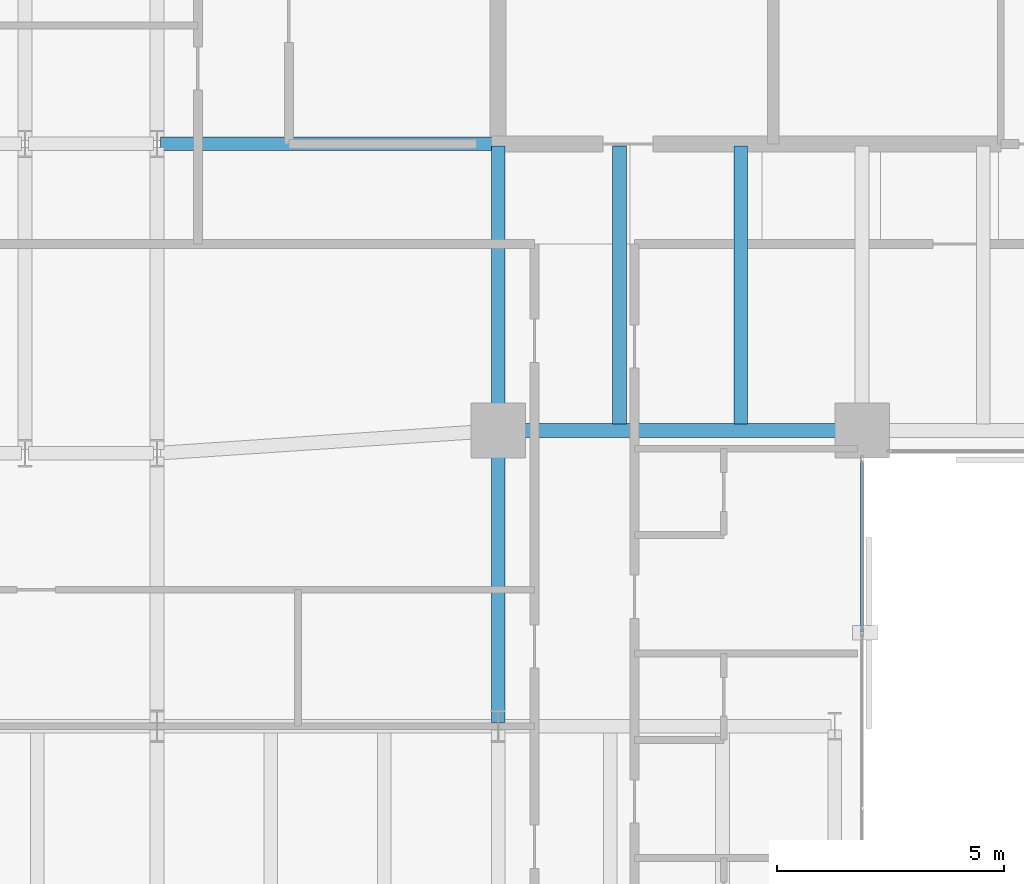
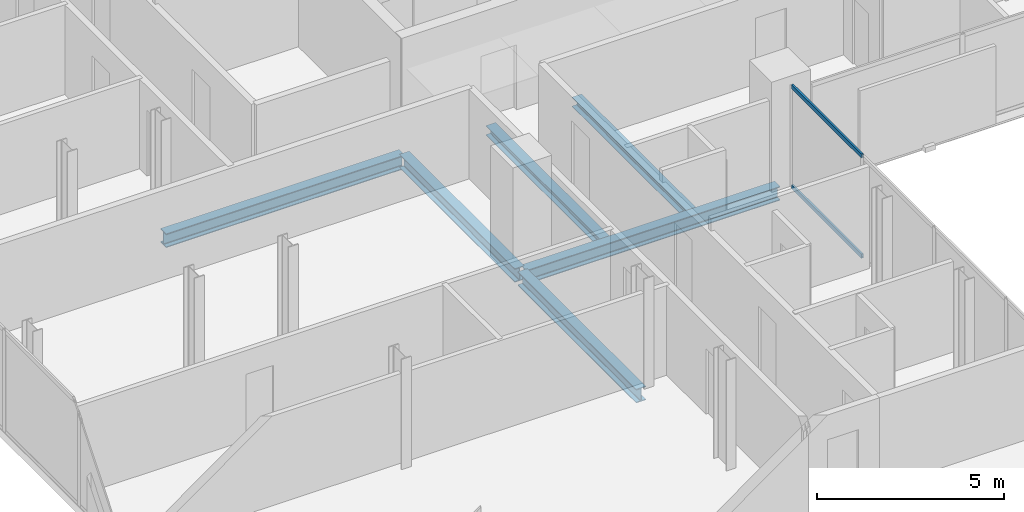
# One storey, part 12 of 32: 6 beams, 2 members, 1 element without a shape of its own.
"""IFC4 building model written with IfcOpenShell, lengths in metres."""

from ifc_helpers import new_model, si_unit, direction, frame, origin, origin_2d, place, context, subcontext, project, spatial, hollow_rectangle, i_section, extrude, material, layer, layer_set, material_profile, profile_set, type_object, element, aggregate, save


model = new_model("IFC4")

# Units and contexts
model_context = context("Model", 3, precision=1e-05, world=origin(), true_north=direction((0.0, 1.0)))
body_context = subcontext(model_context, "Body", "Model", "MODEL_VIEW")
ifc_project = project(units=[si_unit("LENGTHUNIT", "METRE"), si_unit("AREAUNIT", "SQUARE_METRE"), si_unit("VOLUMEUNIT", "CUBIC_METRE"), si_unit("PLANEANGLEUNIT", "RADIAN"), si_unit("MASSUNIT", "GRAM", prefix="KILO")], contexts=[model_context])

# Site, building, storey
site_placement = place(None, origin())
site = spatial("IfcSite", under=ifc_project, at=site_placement, CompositionType="ELEMENT")
building_placement = place(site_placement, origin())
building = spatial("IfcBuilding", under=site, at=building_placement, Name="Catumbela Crestline Tower", CompositionType="ELEMENT")
storey_placement = place(building_placement, frame((0.0, 0.0, 133.2)))
storey = spatial("IfcBuildingStorey", under=building, at=storey_placement, Name="L34", CompositionType="ELEMENT", Elevation=133.2)

# Beams
ifc_material_1 = material(Name="Structural steel S355J2", Category="steel")
ifc_material_profile_1 = material_profile(ifc_material_1, i_section(OverallWidth=0.3, OverallDepth=0.45, WebThickness=0.014, FlangeThickness=0.026, FilletRadius=0.027, at=origin_2d()), Name="HEB 450")
ifc_profile_set_1 = profile_set([ifc_material_profile_1], Name="Structural steel S355J2")
beam_type_1 = type_object("IfcBeamType", Name="BG-HEB450", PredefinedType="BEAM", material=ifc_profile_set_1)
beam_1_placement = place(storey_placement, frame((16.08, 24.5, -0.485), z_axis=(1.0, 0.0, 0.0), x_axis=(0.0, 1.0, 0.0)))
element("IfcBeam", 1, at=beam_1_placement, inside=storey, type_object=beam_type_1, Name="L34 Beam BM-L34-S04", PredefinedType="BEAM", context=body_context, shape_type="SweptSolid", body=[
    extrude(i_section(OverallWidth=0.3, OverallDepth=0.45, WebThickness=0.014, FlangeThickness=0.026, FilletRadius=0.027, at=origin_2d()), origin(), (0.0, 0.0, 1.0), 7.84),
])
beam_2_placement = place(storey_placement, frame((8.58, 30.8, -0.485), z_axis=(1.0, 0.0, 0.0), x_axis=(0.0, 1.0, 0.0)))
element("IfcBeam", 2, at=beam_2_placement, inside=storey, type_object=beam_type_1, Name="L34 Beam BM-L34-M09", PredefinedType="BEAM", context=body_context, shape_type="SweptSolid", body=[
    extrude(i_section(OverallWidth=0.3, OverallDepth=0.45, WebThickness=0.014, FlangeThickness=0.026, FilletRadius=0.027, at=origin_2d()), origin(), (0.0, 0.0, 1.0), 7.37),
])
beam_3_placement = place(storey_placement, frame((16.0, 24.58, -0.485), z_axis=(0.0, 1.0, 0.0), x_axis=(-1.0, 0.0, 0.0)))
element("IfcBeam", 3, at=beam_3_placement, inside=storey, type_object=beam_type_1, Name="L34 Beam BM-L34-SNS28", PredefinedType="BEAM", context=body_context, shape_type="SweptSolid", body=[
    extrude(i_section(OverallWidth=0.3, OverallDepth=0.45, WebThickness=0.014, FlangeThickness=0.026, FilletRadius=0.027, at=origin_2d()), origin(), (0.0, 0.0, 1.0), 6.17),
])
beam_4_placement = place(storey_placement, frame((16.0, 18.08, -0.485), z_axis=(0.0, 1.0, 0.0), x_axis=(-1.0, 0.0, 0.0)))
element("IfcBeam", 4, at=beam_4_placement, inside=storey, type_object=beam_type_1, Name="L34 Beam BM-L34-WNS60", PredefinedType="BEAM", context=body_context, shape_type="SweptSolid", body=[
    extrude(i_section(OverallWidth=0.3, OverallDepth=0.45, WebThickness=0.014, FlangeThickness=0.026, FilletRadius=0.027, at=origin_2d()), origin(), (0.0, 0.0, 1.0), 6.34),
])
ifc_material_profile_2 = material_profile(ifc_material_1, i_section(OverallWidth=0.3, OverallDepth=0.31, WebThickness=0.009, FlangeThickness=0.0155, FilletRadius=0.027, at=origin_2d()), Name="HEA 320")
ifc_profile_set_2 = profile_set([ifc_material_profile_2], Name="Structural steel S355J2")
beam_type_2 = type_object("IfcBeamType", Name="BJ-HEA320", PredefinedType="JOIST", material=ifc_profile_set_2)
for number, where, z_axis, x_axis, name in (
    (5, (18.667, 24.647, -0.415), (0.0, 1.0, 0.0), (-1.0, 0.0, 0.0), "L34 Joist JS-L34-SP37"),
    (6, (21.333, 24.647, -0.415), (0.0, 1.0, 0.0), (-1.0, 0.0, 0.0), "L34 Joist JS-L34-SP38"),
):
    element("IfcBeam", number, at=place(storey_placement, frame(where, z_axis=z_axis, x_axis=x_axis)), inside=storey, type_object=beam_type_2, Name=name, PredefinedType="JOIST", context=body_context, shape_type="SweptSolid", body=[
        extrude(i_section(OverallWidth=0.3, OverallDepth=0.31, WebThickness=0.009, FlangeThickness=0.0155, FilletRadius=0.027, at=origin_2d()), origin(), (0.0, 0.0, 1.0), 6.103),
    ])

# Curtain wall, members
ifc_material_2 = material(Name="Aluminium alloy AW-6060-T66", Category="aluminium")
ifc_layer = layer(ifc_material_2, 0.18, Name="Aluminium alloy AW-6060-T66")
ifc_layer_set = layer_set([ifc_layer], Name="Aluminium alloy AW-6060-T66")
curtain_wall_type = type_object("IfcCurtainWallType", Name="CWU-Z2", PredefinedType="USERDEFINED", material=ifc_layer_set)
curtain_wall_placement = place(storey_placement, origin())
curtain_wall = element("IfcCurtainWall", 7, at=curtain_wall_placement, inside=storey, type_object=curtain_wall_type, Name="L34 Unitised Curtain Wall CW-L34-E2S1", ObjectType="UNITISED", PredefinedType="USERDEFINED")
ifc_material_profile_3 = material_profile(ifc_material_2, hollow_rectangle(XDim=0.06, YDim=0.14, WallThickness=0.004, at=origin_2d()), Name="ALU 140x60x4")
ifc_profile_set_3 = profile_set([ifc_material_profile_3], Name="Aluminium alloy AW-6060-T66")
member_type = type_object("IfcMemberType", Name="TRN-140X60", PredefinedType="USERDEFINED", material=ifc_profile_set_3)
member_1_placement = place(storey_placement, frame((24.0, 20.0825, 0.03), z_axis=(0.0, 1.0, 0.0), x_axis=(-1.0, 0.0, 0.0)))
member_1 = element("IfcMember", 8, at=member_1_placement, type_object=member_type, Name="CWU-Z2 transom 4.1", ObjectType="TRANSOM", PredefinedType="USERDEFINED", context=body_context, shape_type="SweptSolid", body=[
    extrude(hollow_rectangle(XDim=0.06, YDim=0.14, WallThickness=0.004, at=origin_2d()), origin(), (0.0, 0.0, 1.0), 3.7525),
])
member_2_placement = place(storey_placement, frame((24.0, 20.0825, 3.3), z_axis=(0.0, 1.0, 0.0), x_axis=(-1.0, 0.0, 0.0)))
member_2 = element("IfcMember", 9, at=member_2_placement, type_object=member_type, Name="CWU-Z2 transom 4.2", ObjectType="TRANSOM", PredefinedType="USERDEFINED", context=body_context, shape_type="SweptSolid", body=[
    extrude(hollow_rectangle(XDim=0.06, YDim=0.14, WallThickness=0.004, at=origin_2d()), origin(), (0.0, 0.0, 1.0), 3.7525),
])
aggregate(curtain_wall, [member_1, member_2])

save(model, "model.ifc")
